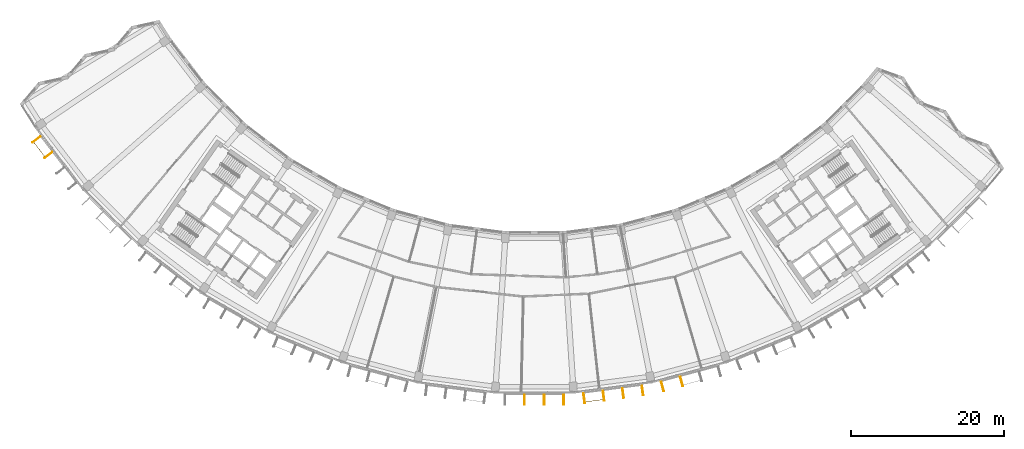
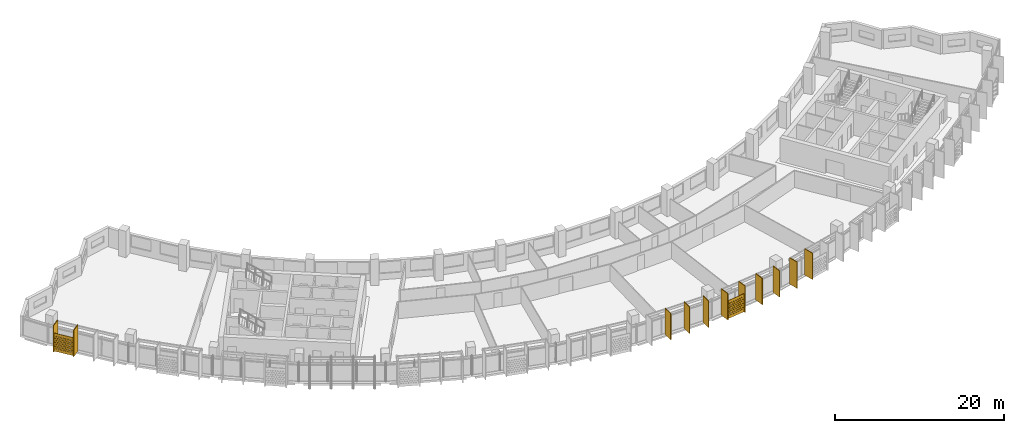
# One storey, part 25 of 28: 13 shading devices.
"""IFC4 building model written with IfcOpenShell, lengths in metres."""

from ifc_helpers import new_model, si_unit, direction, frame, origin, origin_2d, place, context, subcontext, project, spatial, polyline, rectangle, outline, extrude, material, material_profile, profile_set, type_object, element, save


model = new_model("IFC4")

# Units and contexts
model_context = context("Model", 3, precision=1e-05, world=origin(), true_north=direction((0.0, 1.0)))
body_context = subcontext(model_context, "Body", "Model", "MODEL_VIEW")
ifc_project = project(units=[si_unit("LENGTHUNIT", "METRE"), si_unit("AREAUNIT", "SQUARE_METRE"), si_unit("VOLUMEUNIT", "CUBIC_METRE"), si_unit("PLANEANGLEUNIT", "RADIAN"), si_unit("MASSUNIT", "GRAM", prefix="KILO")], contexts=[model_context])

# Site, building, storey
site_placement = place(None, origin())
site = spatial("IfcSite", under=ifc_project, at=site_placement, CompositionType="ELEMENT")
building_placement = place(site_placement, origin())
building = spatial("IfcBuilding", under=site, at=building_placement, Name="Qamariyya Broadcast Tower", CompositionType="ELEMENT")
storey_placement = place(building_placement, frame((0.0, 0.0, 249.300048828125)))
storey = spatial("IfcBuildingStorey", under=building, at=storey_placement, Name="L60", CompositionType="ELEMENT", Elevation=249.300048828125)

# Shading devices
ifc_material_1 = material(Name="Perforated glazed terracotta", Category="masonry")
ifc_material_profile_1 = material_profile(ifc_material_1, outline(polyline([(-1.199951171875, -1.300048828125), (1.199951171875, -1.300048828125), (1.199951171875, 1.300048828125), (-1.199951171875, 1.300048828125), (-1.199951171875, -1.300048828125)]), holes=[polyline([(-0.81494140625, -0.86669921875), (-0.89990234375, -0.78173828125), (-0.985107421875, -0.86669921875), (-0.89990234375, -0.95166015625), (-0.81494140625, -0.86669921875)]), polyline([(-0.514892578125, -0.86669921875), (-0.60009765625, -0.78173828125), (-0.68505859375, -0.86669921875), (-0.60009765625, -0.95166015625), (-0.514892578125, -0.86669921875)]), polyline([(-0.215087890625, -0.86669921875), (-0.300048828125, -0.78173828125), (-0.385009765625, -0.86669921875), (-0.300048828125, -0.95166015625), (-0.215087890625, -0.86669921875)]), polyline([(0.0849609375, -0.86669921875), (0.0, -0.78173828125), (-0.0849609375, -0.86669921875), (0.0, -0.95166015625), (0.0849609375, -0.86669921875)]), polyline([(0.385009765625, -0.86669921875), (0.300048828125, -0.78173828125), (0.215087890625, -0.86669921875), (0.300048828125, -0.95166015625), (0.385009765625, -0.86669921875)]), polyline([(0.68505859375, -0.86669921875), (0.60009765625, -0.78173828125), (0.514892578125, -0.86669921875), (0.60009765625, -0.95166015625), (0.68505859375, -0.86669921875)]), polyline([(0.985107421875, -0.86669921875), (0.89990234375, -0.78173828125), (0.81494140625, -0.86669921875), (0.89990234375, -0.95166015625), (0.985107421875, -0.86669921875)]), polyline([(-0.965087890625, -0.577880859375), (-1.050048828125, -0.49267578125), (-1.135009765625, -0.577880859375), (-1.050048828125, -0.662841796875), (-0.965087890625, -0.577880859375)]), polyline([(-0.6650390625, -0.577880859375), (-0.75, -0.49267578125), (-0.8349609375, -0.577880859375), (-0.75, -0.662841796875), (-0.6650390625, -0.577880859375)]), polyline([(-0.364990234375, -0.577880859375), (-0.449951171875, -0.49267578125), (-0.534912109375, -0.577880859375), (-0.449951171875, -0.662841796875), (-0.364990234375, -0.577880859375)]), polyline([(-0.06494140625, -0.577880859375), (-0.14990234375, -0.49267578125), (-0.235107421875, -0.577880859375), (-0.14990234375, -0.662841796875), (-0.06494140625, -0.577880859375)]), polyline([(0.235107421875, -0.577880859375), (0.14990234375, -0.49267578125), (0.06494140625, -0.577880859375), (0.14990234375, -0.662841796875), (0.235107421875, -0.577880859375)]), polyline([(0.534912109375, -0.577880859375), (0.449951171875, -0.49267578125), (0.364990234375, -0.577880859375), (0.449951171875, -0.662841796875), (0.534912109375, -0.577880859375)]), polyline([(0.8349609375, -0.577880859375), (0.75, -0.49267578125), (0.6650390625, -0.577880859375), (0.75, -0.662841796875), (0.8349609375, -0.577880859375)]), polyline([(1.135009765625, -0.577880859375), (1.050048828125, -0.49267578125), (0.965087890625, -0.577880859375), (1.050048828125, -0.662841796875), (1.135009765625, -0.577880859375)]), polyline([(-0.81494140625, -0.288818359375), (-0.89990234375, -0.203857421875), (-0.985107421875, -0.288818359375), (-0.89990234375, -0.373779296875), (-0.81494140625, -0.288818359375)]), polyline([(-0.514892578125, -0.288818359375), (-0.60009765625, -0.203857421875), (-0.68505859375, -0.288818359375), (-0.60009765625, -0.373779296875), (-0.514892578125, -0.288818359375)]), polyline([(-0.215087890625, -0.288818359375), (-0.300048828125, -0.203857421875), (-0.385009765625, -0.288818359375), (-0.300048828125, -0.373779296875), (-0.215087890625, -0.288818359375)]), polyline([(0.0849609375, -0.288818359375), (0.0, -0.203857421875), (-0.0849609375, -0.288818359375), (0.0, -0.373779296875), (0.0849609375, -0.288818359375)]), polyline([(0.385009765625, -0.288818359375), (0.300048828125, -0.203857421875), (0.215087890625, -0.288818359375), (0.300048828125, -0.373779296875), (0.385009765625, -0.288818359375)]), polyline([(0.68505859375, -0.288818359375), (0.60009765625, -0.203857421875), (0.514892578125, -0.288818359375), (0.60009765625, -0.373779296875), (0.68505859375, -0.288818359375)]), polyline([(0.985107421875, -0.288818359375), (0.89990234375, -0.203857421875), (0.81494140625, -0.288818359375), (0.89990234375, -0.373779296875), (0.985107421875, -0.288818359375)]), polyline([(-0.965087890625, 0.0), (-1.050048828125, 0.0849609375), (-1.135009765625, 0.0), (-1.050048828125, -0.0849609375), (-0.965087890625, 0.0)]), polyline([(-0.6650390625, 0.0), (-0.75, 0.0849609375), (-0.8349609375, 0.0), (-0.75, -0.0849609375), (-0.6650390625, 0.0)]), polyline([(-0.364990234375, 0.0), (-0.449951171875, 0.0849609375), (-0.534912109375, 0.0), (-0.449951171875, -0.0849609375), (-0.364990234375, 0.0)]), polyline([(-0.06494140625, 0.0), (-0.14990234375, 0.0849609375), (-0.235107421875, 0.0), (-0.14990234375, -0.0849609375), (-0.06494140625, 0.0)]), polyline([(0.235107421875, 0.0), (0.14990234375, 0.0849609375), (0.06494140625, 0.0), (0.14990234375, -0.0849609375), (0.235107421875, 0.0)]), polyline([(0.534912109375, 0.0), (0.449951171875, 0.0849609375), (0.364990234375, 0.0), (0.449951171875, -0.0849609375), (0.534912109375, 0.0)]), polyline([(0.8349609375, 0.0), (0.75, 0.0849609375), (0.6650390625, 0.0), (0.75, -0.0849609375), (0.8349609375, 0.0)]), polyline([(1.135009765625, 0.0), (1.050048828125, 0.0849609375), (0.965087890625, 0.0), (1.050048828125, -0.0849609375), (1.135009765625, 0.0)]), polyline([(-0.81494140625, 0.288818359375), (-0.89990234375, 0.373779296875), (-0.985107421875, 0.288818359375), (-0.89990234375, 0.203857421875), (-0.81494140625, 0.288818359375)]), polyline([(-0.514892578125, 0.288818359375), (-0.60009765625, 0.373779296875), (-0.68505859375, 0.288818359375), (-0.60009765625, 0.203857421875), (-0.514892578125, 0.288818359375)]), polyline([(-0.215087890625, 0.288818359375), (-0.300048828125, 0.373779296875), (-0.385009765625, 0.288818359375), (-0.300048828125, 0.203857421875), (-0.215087890625, 0.288818359375)]), polyline([(0.0849609375, 0.288818359375), (0.0, 0.373779296875), (-0.0849609375, 0.288818359375), (0.0, 0.203857421875), (0.0849609375, 0.288818359375)]), polyline([(0.385009765625, 0.288818359375), (0.300048828125, 0.373779296875), (0.215087890625, 0.288818359375), (0.300048828125, 0.203857421875), (0.385009765625, 0.288818359375)]), polyline([(0.68505859375, 0.288818359375), (0.60009765625, 0.373779296875), (0.514892578125, 0.288818359375), (0.60009765625, 0.203857421875), (0.68505859375, 0.288818359375)]), polyline([(0.985107421875, 0.288818359375), (0.89990234375, 0.373779296875), (0.81494140625, 0.288818359375), (0.89990234375, 0.203857421875), (0.985107421875, 0.288818359375)]), polyline([(-0.965087890625, 0.577880859375), (-1.050048828125, 0.662841796875), (-1.135009765625, 0.577880859375), (-1.050048828125, 0.49267578125), (-0.965087890625, 0.577880859375)]), polyline([(-0.6650390625, 0.577880859375), (-0.75, 0.662841796875), (-0.8349609375, 0.577880859375), (-0.75, 0.49267578125), (-0.6650390625, 0.577880859375)]), polyline([(-0.364990234375, 0.577880859375), (-0.449951171875, 0.662841796875), (-0.534912109375, 0.577880859375), (-0.449951171875, 0.49267578125), (-0.364990234375, 0.577880859375)]), polyline([(-0.06494140625, 0.577880859375), (-0.14990234375, 0.662841796875), (-0.235107421875, 0.577880859375), (-0.14990234375, 0.49267578125), (-0.06494140625, 0.577880859375)]), polyline([(0.235107421875, 0.577880859375), (0.14990234375, 0.662841796875), (0.06494140625, 0.577880859375), (0.14990234375, 0.49267578125), (0.235107421875, 0.577880859375)]), polyline([(0.534912109375, 0.577880859375), (0.449951171875, 0.662841796875), (0.364990234375, 0.577880859375), (0.449951171875, 0.49267578125), (0.534912109375, 0.577880859375)]), polyline([(0.8349609375, 0.577880859375), (0.75, 0.662841796875), (0.6650390625, 0.577880859375), (0.75, 0.49267578125), (0.8349609375, 0.577880859375)]), polyline([(1.135009765625, 0.577880859375), (1.050048828125, 0.662841796875), (0.965087890625, 0.577880859375), (1.050048828125, 0.49267578125), (1.135009765625, 0.577880859375)]), polyline([(-0.81494140625, 0.86669921875), (-0.89990234375, 0.95166015625), (-0.985107421875, 0.86669921875), (-0.89990234375, 0.78173828125), (-0.81494140625, 0.86669921875)]), polyline([(-0.514892578125, 0.86669921875), (-0.60009765625, 0.95166015625), (-0.68505859375, 0.86669921875), (-0.60009765625, 0.78173828125), (-0.514892578125, 0.86669921875)]), polyline([(-0.215087890625, 0.86669921875), (-0.300048828125, 0.95166015625), (-0.385009765625, 0.86669921875), (-0.300048828125, 0.78173828125), (-0.215087890625, 0.86669921875)]), polyline([(0.0849609375, 0.86669921875), (0.0, 0.95166015625), (-0.0849609375, 0.86669921875), (0.0, 0.78173828125), (0.0849609375, 0.86669921875)]), polyline([(0.385009765625, 0.86669921875), (0.300048828125, 0.95166015625), (0.215087890625, 0.86669921875), (0.300048828125, 0.78173828125), (0.385009765625, 0.86669921875)]), polyline([(0.68505859375, 0.86669921875), (0.60009765625, 0.95166015625), (0.514892578125, 0.86669921875), (0.60009765625, 0.78173828125), (0.68505859375, 0.86669921875)]), polyline([(0.985107421875, 0.86669921875), (0.89990234375, 0.95166015625), (0.81494140625, 0.86669921875), (0.89990234375, 0.78173828125), (0.985107421875, 0.86669921875)])]))
ifc_profile_set_1 = profile_set([ifc_material_profile_1], Name="Perforated glazed terracotta")
shading_device_type_1 = type_object("IfcShadingDeviceType", Name="Perforated terracotta screen 2400 x 2600", PredefinedType="USERDEFINED", material=ifc_profile_set_1)
shading_device_1_placement = place(storey_placement, frame((-64.85888671875, -46.480712890625, 1.349853515625), z_axis=(-0.794589096806, -0.607147566278, 0.0), x_axis=(0.607147566278, -0.794589096806, 0.0)))
element("IfcShadingDevice", 1, at=shading_device_1_placement, inside=storey, type_object=shading_device_type_1, Name="e-scr-L60-01-0", ObjectType="SCREEN", PredefinedType="USERDEFINED", context=body_context, shape_type="SweptSolid", body=[
    extrude(outline(polyline([(-1.199951171875, -1.300048828125), (1.199951171875, -1.300048828125), (1.199951171875, 1.300048828125), (-1.199951171875, 1.300048828125), (-1.199951171875, -1.300048828125)]), holes=[polyline([(-0.81494140625, -0.86669921875), (-0.89990234375, -0.78173828125), (-0.985107421875, -0.86669921875), (-0.89990234375, -0.95166015625), (-0.81494140625, -0.86669921875)]), polyline([(-0.514892578125, -0.86669921875), (-0.60009765625, -0.78173828125), (-0.68505859375, -0.86669921875), (-0.60009765625, -0.95166015625), (-0.514892578125, -0.86669921875)]), polyline([(-0.215087890625, -0.86669921875), (-0.300048828125, -0.78173828125), (-0.385009765625, -0.86669921875), (-0.300048828125, -0.95166015625), (-0.215087890625, -0.86669921875)]), polyline([(0.0849609375, -0.86669921875), (0.0, -0.78173828125), (-0.0849609375, -0.86669921875), (0.0, -0.95166015625), (0.0849609375, -0.86669921875)]), polyline([(0.385009765625, -0.86669921875), (0.300048828125, -0.78173828125), (0.215087890625, -0.86669921875), (0.300048828125, -0.95166015625), (0.385009765625, -0.86669921875)]), polyline([(0.68505859375, -0.86669921875), (0.60009765625, -0.78173828125), (0.514892578125, -0.86669921875), (0.60009765625, -0.95166015625), (0.68505859375, -0.86669921875)]), polyline([(0.985107421875, -0.86669921875), (0.89990234375, -0.78173828125), (0.81494140625, -0.86669921875), (0.89990234375, -0.95166015625), (0.985107421875, -0.86669921875)]), polyline([(-0.965087890625, -0.577880859375), (-1.050048828125, -0.49267578125), (-1.135009765625, -0.577880859375), (-1.050048828125, -0.662841796875), (-0.965087890625, -0.577880859375)]), polyline([(-0.6650390625, -0.577880859375), (-0.75, -0.49267578125), (-0.8349609375, -0.577880859375), (-0.75, -0.662841796875), (-0.6650390625, -0.577880859375)]), polyline([(-0.364990234375, -0.577880859375), (-0.449951171875, -0.49267578125), (-0.534912109375, -0.577880859375), (-0.449951171875, -0.662841796875), (-0.364990234375, -0.577880859375)]), polyline([(-0.06494140625, -0.577880859375), (-0.14990234375, -0.49267578125), (-0.235107421875, -0.577880859375), (-0.14990234375, -0.662841796875), (-0.06494140625, -0.577880859375)]), polyline([(0.235107421875, -0.577880859375), (0.14990234375, -0.49267578125), (0.06494140625, -0.577880859375), (0.14990234375, -0.662841796875), (0.235107421875, -0.577880859375)]), polyline([(0.534912109375, -0.577880859375), (0.449951171875, -0.49267578125), (0.364990234375, -0.577880859375), (0.449951171875, -0.662841796875), (0.534912109375, -0.577880859375)]), polyline([(0.8349609375, -0.577880859375), (0.75, -0.49267578125), (0.6650390625, -0.577880859375), (0.75, -0.662841796875), (0.8349609375, -0.577880859375)]), polyline([(1.135009765625, -0.577880859375), (1.050048828125, -0.49267578125), (0.965087890625, -0.577880859375), (1.050048828125, -0.662841796875), (1.135009765625, -0.577880859375)]), polyline([(-0.81494140625, -0.288818359375), (-0.89990234375, -0.203857421875), (-0.985107421875, -0.288818359375), (-0.89990234375, -0.373779296875), (-0.81494140625, -0.288818359375)]), polyline([(-0.514892578125, -0.288818359375), (-0.60009765625, -0.203857421875), (-0.68505859375, -0.288818359375), (-0.60009765625, -0.373779296875), (-0.514892578125, -0.288818359375)]), polyline([(-0.215087890625, -0.288818359375), (-0.300048828125, -0.203857421875), (-0.385009765625, -0.288818359375), (-0.300048828125, -0.373779296875), (-0.215087890625, -0.288818359375)]), polyline([(0.0849609375, -0.288818359375), (0.0, -0.203857421875), (-0.0849609375, -0.288818359375), (0.0, -0.373779296875), (0.0849609375, -0.288818359375)]), polyline([(0.385009765625, -0.288818359375), (0.300048828125, -0.203857421875), (0.215087890625, -0.288818359375), (0.300048828125, -0.373779296875), (0.385009765625, -0.288818359375)]), polyline([(0.68505859375, -0.288818359375), (0.60009765625, -0.203857421875), (0.514892578125, -0.288818359375), (0.60009765625, -0.373779296875), (0.68505859375, -0.288818359375)]), polyline([(0.985107421875, -0.288818359375), (0.89990234375, -0.203857421875), (0.81494140625, -0.288818359375), (0.89990234375, -0.373779296875), (0.985107421875, -0.288818359375)]), polyline([(-0.965087890625, 0.0), (-1.050048828125, 0.0849609375), (-1.135009765625, 0.0), (-1.050048828125, -0.0849609375), (-0.965087890625, 0.0)]), polyline([(-0.6650390625, 0.0), (-0.75, 0.0849609375), (-0.8349609375, 0.0), (-0.75, -0.0849609375), (-0.6650390625, 0.0)]), polyline([(-0.364990234375, 0.0), (-0.449951171875, 0.0849609375), (-0.534912109375, 0.0), (-0.449951171875, -0.0849609375), (-0.364990234375, 0.0)]), polyline([(-0.06494140625, 0.0), (-0.14990234375, 0.0849609375), (-0.235107421875, 0.0), (-0.14990234375, -0.0849609375), (-0.06494140625, 0.0)]), polyline([(0.235107421875, 0.0), (0.14990234375, 0.0849609375), (0.06494140625, 0.0), (0.14990234375, -0.0849609375), (0.235107421875, 0.0)]), polyline([(0.534912109375, 0.0), (0.449951171875, 0.0849609375), (0.364990234375, 0.0), (0.449951171875, -0.0849609375), (0.534912109375, 0.0)]), polyline([(0.8349609375, 0.0), (0.75, 0.0849609375), (0.6650390625, 0.0), (0.75, -0.0849609375), (0.8349609375, 0.0)]), polyline([(1.135009765625, 0.0), (1.050048828125, 0.0849609375), (0.965087890625, 0.0), (1.050048828125, -0.0849609375), (1.135009765625, 0.0)]), polyline([(-0.81494140625, 0.288818359375), (-0.89990234375, 0.373779296875), (-0.985107421875, 0.288818359375), (-0.89990234375, 0.203857421875), (-0.81494140625, 0.288818359375)]), polyline([(-0.514892578125, 0.288818359375), (-0.60009765625, 0.373779296875), (-0.68505859375, 0.288818359375), (-0.60009765625, 0.203857421875), (-0.514892578125, 0.288818359375)]), polyline([(-0.215087890625, 0.288818359375), (-0.300048828125, 0.373779296875), (-0.385009765625, 0.288818359375), (-0.300048828125, 0.203857421875), (-0.215087890625, 0.288818359375)]), polyline([(0.0849609375, 0.288818359375), (0.0, 0.373779296875), (-0.0849609375, 0.288818359375), (0.0, 0.203857421875), (0.0849609375, 0.288818359375)]), polyline([(0.385009765625, 0.288818359375), (0.300048828125, 0.373779296875), (0.215087890625, 0.288818359375), (0.300048828125, 0.203857421875), (0.385009765625, 0.288818359375)]), polyline([(0.68505859375, 0.288818359375), (0.60009765625, 0.373779296875), (0.514892578125, 0.288818359375), (0.60009765625, 0.203857421875), (0.68505859375, 0.288818359375)]), polyline([(0.985107421875, 0.288818359375), (0.89990234375, 0.373779296875), (0.81494140625, 0.288818359375), (0.89990234375, 0.203857421875), (0.985107421875, 0.288818359375)]), polyline([(-0.965087890625, 0.577880859375), (-1.050048828125, 0.662841796875), (-1.135009765625, 0.577880859375), (-1.050048828125, 0.49267578125), (-0.965087890625, 0.577880859375)]), polyline([(-0.6650390625, 0.577880859375), (-0.75, 0.662841796875), (-0.8349609375, 0.577880859375), (-0.75, 0.49267578125), (-0.6650390625, 0.577880859375)]), polyline([(-0.364990234375, 0.577880859375), (-0.449951171875, 0.662841796875), (-0.534912109375, 0.577880859375), (-0.449951171875, 0.49267578125), (-0.364990234375, 0.577880859375)]), polyline([(-0.06494140625, 0.577880859375), (-0.14990234375, 0.662841796875), (-0.235107421875, 0.577880859375), (-0.14990234375, 0.49267578125), (-0.06494140625, 0.577880859375)]), polyline([(0.235107421875, 0.577880859375), (0.14990234375, 0.662841796875), (0.06494140625, 0.577880859375), (0.14990234375, 0.49267578125), (0.235107421875, 0.577880859375)]), polyline([(0.534912109375, 0.577880859375), (0.449951171875, 0.662841796875), (0.364990234375, 0.577880859375), (0.449951171875, 0.49267578125), (0.534912109375, 0.577880859375)]), polyline([(0.8349609375, 0.577880859375), (0.75, 0.662841796875), (0.6650390625, 0.577880859375), (0.75, 0.49267578125), (0.8349609375, 0.577880859375)]), polyline([(1.135009765625, 0.577880859375), (1.050048828125, 0.662841796875), (0.965087890625, 0.577880859375), (1.050048828125, 0.49267578125), (1.135009765625, 0.577880859375)]), polyline([(-0.81494140625, 0.86669921875), (-0.89990234375, 0.95166015625), (-0.985107421875, 0.86669921875), (-0.89990234375, 0.78173828125), (-0.81494140625, 0.86669921875)]), polyline([(-0.514892578125, 0.86669921875), (-0.60009765625, 0.95166015625), (-0.68505859375, 0.86669921875), (-0.60009765625, 0.78173828125), (-0.514892578125, 0.86669921875)]), polyline([(-0.215087890625, 0.86669921875), (-0.300048828125, 0.95166015625), (-0.385009765625, 0.86669921875), (-0.300048828125, 0.78173828125), (-0.215087890625, 0.86669921875)]), polyline([(0.0849609375, 0.86669921875), (0.0, 0.95166015625), (-0.0849609375, 0.86669921875), (0.0, 0.78173828125), (0.0849609375, 0.86669921875)]), polyline([(0.385009765625, 0.86669921875), (0.300048828125, 0.95166015625), (0.215087890625, 0.86669921875), (0.300048828125, 0.78173828125), (0.385009765625, 0.86669921875)]), polyline([(0.68505859375, 0.86669921875), (0.60009765625, 0.95166015625), (0.514892578125, 0.86669921875), (0.60009765625, 0.78173828125), (0.68505859375, 0.86669921875)]), polyline([(0.985107421875, 0.86669921875), (0.89990234375, 0.95166015625), (0.81494140625, 0.86669921875), (0.89990234375, 0.78173828125), (0.985107421875, 0.86669921875)])]), origin(), (0.0, 0.0, 1.0), 0.059814453125),
])
shading_device_2_placement = place(storey_placement, frame((7.823974609375, -79.40966796875, 1.349853515625), z_axis=(0.1300340368, -0.991509530601, 0.0), x_axis=(0.991509530601, 0.1300340368, 0.0)))
element("IfcShadingDevice", 2, at=shading_device_2_placement, inside=storey, type_object=shading_device_type_1, Name="e-scr-L60-09-0", ObjectType="SCREEN", PredefinedType="USERDEFINED", context=body_context, shape_type="SweptSolid", body=[
    extrude(outline(polyline([(-1.199951171875, -1.300048828125), (1.199951171875, -1.300048828125), (1.199951171875, 1.300048828125), (-1.199951171875, 1.300048828125), (-1.199951171875, -1.300048828125)]), holes=[polyline([(-0.81494140625, -0.86669921875), (-0.89990234375, -0.78173828125), (-0.985107421875, -0.86669921875), (-0.89990234375, -0.95166015625), (-0.81494140625, -0.86669921875)]), polyline([(-0.514892578125, -0.86669921875), (-0.60009765625, -0.78173828125), (-0.68505859375, -0.86669921875), (-0.60009765625, -0.95166015625), (-0.514892578125, -0.86669921875)]), polyline([(-0.215087890625, -0.86669921875), (-0.300048828125, -0.78173828125), (-0.385009765625, -0.86669921875), (-0.300048828125, -0.95166015625), (-0.215087890625, -0.86669921875)]), polyline([(0.0849609375, -0.86669921875), (0.0, -0.78173828125), (-0.0849609375, -0.86669921875), (0.0, -0.95166015625), (0.0849609375, -0.86669921875)]), polyline([(0.385009765625, -0.86669921875), (0.300048828125, -0.78173828125), (0.215087890625, -0.86669921875), (0.300048828125, -0.95166015625), (0.385009765625, -0.86669921875)]), polyline([(0.68505859375, -0.86669921875), (0.60009765625, -0.78173828125), (0.514892578125, -0.86669921875), (0.60009765625, -0.95166015625), (0.68505859375, -0.86669921875)]), polyline([(0.985107421875, -0.86669921875), (0.89990234375, -0.78173828125), (0.81494140625, -0.86669921875), (0.89990234375, -0.95166015625), (0.985107421875, -0.86669921875)]), polyline([(-0.965087890625, -0.577880859375), (-1.050048828125, -0.49267578125), (-1.135009765625, -0.577880859375), (-1.050048828125, -0.662841796875), (-0.965087890625, -0.577880859375)]), polyline([(-0.6650390625, -0.577880859375), (-0.75, -0.49267578125), (-0.8349609375, -0.577880859375), (-0.75, -0.662841796875), (-0.6650390625, -0.577880859375)]), polyline([(-0.364990234375, -0.577880859375), (-0.449951171875, -0.49267578125), (-0.534912109375, -0.577880859375), (-0.449951171875, -0.662841796875), (-0.364990234375, -0.577880859375)]), polyline([(-0.06494140625, -0.577880859375), (-0.14990234375, -0.49267578125), (-0.235107421875, -0.577880859375), (-0.14990234375, -0.662841796875), (-0.06494140625, -0.577880859375)]), polyline([(0.235107421875, -0.577880859375), (0.14990234375, -0.49267578125), (0.06494140625, -0.577880859375), (0.14990234375, -0.662841796875), (0.235107421875, -0.577880859375)]), polyline([(0.534912109375, -0.577880859375), (0.449951171875, -0.49267578125), (0.364990234375, -0.577880859375), (0.449951171875, -0.662841796875), (0.534912109375, -0.577880859375)]), polyline([(0.8349609375, -0.577880859375), (0.75, -0.49267578125), (0.6650390625, -0.577880859375), (0.75, -0.662841796875), (0.8349609375, -0.577880859375)]), polyline([(1.135009765625, -0.577880859375), (1.050048828125, -0.49267578125), (0.965087890625, -0.577880859375), (1.050048828125, -0.662841796875), (1.135009765625, -0.577880859375)]), polyline([(-0.81494140625, -0.288818359375), (-0.89990234375, -0.203857421875), (-0.985107421875, -0.288818359375), (-0.89990234375, -0.373779296875), (-0.81494140625, -0.288818359375)]), polyline([(-0.514892578125, -0.288818359375), (-0.60009765625, -0.203857421875), (-0.68505859375, -0.288818359375), (-0.60009765625, -0.373779296875), (-0.514892578125, -0.288818359375)]), polyline([(-0.215087890625, -0.288818359375), (-0.300048828125, -0.203857421875), (-0.385009765625, -0.288818359375), (-0.300048828125, -0.373779296875), (-0.215087890625, -0.288818359375)]), polyline([(0.0849609375, -0.288818359375), (0.0, -0.203857421875), (-0.0849609375, -0.288818359375), (0.0, -0.373779296875), (0.0849609375, -0.288818359375)]), polyline([(0.385009765625, -0.288818359375), (0.300048828125, -0.203857421875), (0.215087890625, -0.288818359375), (0.300048828125, -0.373779296875), (0.385009765625, -0.288818359375)]), polyline([(0.68505859375, -0.288818359375), (0.60009765625, -0.203857421875), (0.514892578125, -0.288818359375), (0.60009765625, -0.373779296875), (0.68505859375, -0.288818359375)]), polyline([(0.985107421875, -0.288818359375), (0.89990234375, -0.203857421875), (0.81494140625, -0.288818359375), (0.89990234375, -0.373779296875), (0.985107421875, -0.288818359375)]), polyline([(-0.965087890625, 0.0), (-1.050048828125, 0.0849609375), (-1.135009765625, 0.0), (-1.050048828125, -0.0849609375), (-0.965087890625, 0.0)]), polyline([(-0.6650390625, 0.0), (-0.75, 0.0849609375), (-0.8349609375, 0.0), (-0.75, -0.0849609375), (-0.6650390625, 0.0)]), polyline([(-0.364990234375, 0.0), (-0.449951171875, 0.0849609375), (-0.534912109375, 0.0), (-0.449951171875, -0.0849609375), (-0.364990234375, 0.0)]), polyline([(-0.06494140625, 0.0), (-0.14990234375, 0.0849609375), (-0.235107421875, 0.0), (-0.14990234375, -0.0849609375), (-0.06494140625, 0.0)]), polyline([(0.235107421875, 0.0), (0.14990234375, 0.0849609375), (0.06494140625, 0.0), (0.14990234375, -0.0849609375), (0.235107421875, 0.0)]), polyline([(0.534912109375, 0.0), (0.449951171875, 0.0849609375), (0.364990234375, 0.0), (0.449951171875, -0.0849609375), (0.534912109375, 0.0)]), polyline([(0.8349609375, 0.0), (0.75, 0.0849609375), (0.6650390625, 0.0), (0.75, -0.0849609375), (0.8349609375, 0.0)]), polyline([(1.135009765625, 0.0), (1.050048828125, 0.0849609375), (0.965087890625, 0.0), (1.050048828125, -0.0849609375), (1.135009765625, 0.0)]), polyline([(-0.81494140625, 0.288818359375), (-0.89990234375, 0.373779296875), (-0.985107421875, 0.288818359375), (-0.89990234375, 0.203857421875), (-0.81494140625, 0.288818359375)]), polyline([(-0.514892578125, 0.288818359375), (-0.60009765625, 0.373779296875), (-0.68505859375, 0.288818359375), (-0.60009765625, 0.203857421875), (-0.514892578125, 0.288818359375)]), polyline([(-0.215087890625, 0.288818359375), (-0.300048828125, 0.373779296875), (-0.385009765625, 0.288818359375), (-0.300048828125, 0.203857421875), (-0.215087890625, 0.288818359375)]), polyline([(0.0849609375, 0.288818359375), (0.0, 0.373779296875), (-0.0849609375, 0.288818359375), (0.0, 0.203857421875), (0.0849609375, 0.288818359375)]), polyline([(0.385009765625, 0.288818359375), (0.300048828125, 0.373779296875), (0.215087890625, 0.288818359375), (0.300048828125, 0.203857421875), (0.385009765625, 0.288818359375)]), polyline([(0.68505859375, 0.288818359375), (0.60009765625, 0.373779296875), (0.514892578125, 0.288818359375), (0.60009765625, 0.203857421875), (0.68505859375, 0.288818359375)]), polyline([(0.985107421875, 0.288818359375), (0.89990234375, 0.373779296875), (0.81494140625, 0.288818359375), (0.89990234375, 0.203857421875), (0.985107421875, 0.288818359375)]), polyline([(-0.965087890625, 0.577880859375), (-1.050048828125, 0.662841796875), (-1.135009765625, 0.577880859375), (-1.050048828125, 0.49267578125), (-0.965087890625, 0.577880859375)]), polyline([(-0.6650390625, 0.577880859375), (-0.75, 0.662841796875), (-0.8349609375, 0.577880859375), (-0.75, 0.49267578125), (-0.6650390625, 0.577880859375)]), polyline([(-0.364990234375, 0.577880859375), (-0.449951171875, 0.662841796875), (-0.534912109375, 0.577880859375), (-0.449951171875, 0.49267578125), (-0.364990234375, 0.577880859375)]), polyline([(-0.06494140625, 0.577880859375), (-0.14990234375, 0.662841796875), (-0.235107421875, 0.577880859375), (-0.14990234375, 0.49267578125), (-0.06494140625, 0.577880859375)]), polyline([(0.235107421875, 0.577880859375), (0.14990234375, 0.662841796875), (0.06494140625, 0.577880859375), (0.14990234375, 0.49267578125), (0.235107421875, 0.577880859375)]), polyline([(0.534912109375, 0.577880859375), (0.449951171875, 0.662841796875), (0.364990234375, 0.577880859375), (0.449951171875, 0.49267578125), (0.534912109375, 0.577880859375)]), polyline([(0.8349609375, 0.577880859375), (0.75, 0.662841796875), (0.6650390625, 0.577880859375), (0.75, 0.49267578125), (0.8349609375, 0.577880859375)]), polyline([(1.135009765625, 0.577880859375), (1.050048828125, 0.662841796875), (0.965087890625, 0.577880859375), (1.050048828125, 0.49267578125), (1.135009765625, 0.577880859375)]), polyline([(-0.81494140625, 0.86669921875), (-0.89990234375, 0.95166015625), (-0.985107421875, 0.86669921875), (-0.89990234375, 0.78173828125), (-0.81494140625, 0.86669921875)]), polyline([(-0.514892578125, 0.86669921875), (-0.60009765625, 0.95166015625), (-0.68505859375, 0.86669921875), (-0.60009765625, 0.78173828125), (-0.514892578125, 0.86669921875)]), polyline([(-0.215087890625, 0.86669921875), (-0.300048828125, 0.95166015625), (-0.385009765625, 0.86669921875), (-0.300048828125, 0.78173828125), (-0.215087890625, 0.86669921875)]), polyline([(0.0849609375, 0.86669921875), (0.0, 0.95166015625), (-0.0849609375, 0.86669921875), (0.0, 0.78173828125), (0.0849609375, 0.86669921875)]), polyline([(0.385009765625, 0.86669921875), (0.300048828125, 0.95166015625), (0.215087890625, 0.86669921875), (0.300048828125, 0.78173828125), (0.385009765625, 0.86669921875)]), polyline([(0.68505859375, 0.86669921875), (0.60009765625, 0.95166015625), (0.514892578125, 0.86669921875), (0.60009765625, 0.78173828125), (0.68505859375, 0.86669921875)]), polyline([(0.985107421875, 0.86669921875), (0.89990234375, 0.95166015625), (0.81494140625, 0.86669921875), (0.89990234375, 0.78173828125), (0.985107421875, 0.86669921875)])]), origin(), (0.0, 0.0, 1.0), 0.06005859375),
])
ifc_material_2 = material(Name="Glazed terracotta", Category="masonry")
ifc_material_profile_2 = material_profile(ifc_material_2, rectangle(XDim=1.300048828125, YDim=0.10009765625, at=origin_2d()))
ifc_profile_set_2 = profile_set([ifc_material_profile_2], Name="Glazed terracotta")
shading_device_type_2 = type_object("IfcShadingDeviceType", Name="Terracotta fin 100 x 1300", PredefinedType="USERDEFINED", material=ifc_profile_set_2)
for number, where, z_axis, x_axis, name in (
    (3, (-65.246826171875, -45.202880859375, 0.0), (0.0, 0.0, 1.0), (-0.793353340291, -0.608761429009, 0.0), "e-fin-L60-01-0"),
    (4, (-63.68115234375, -47.243408203125, 0.0), (0.0, 0.0, 1.0), (-0.793353340291, -0.608761429009, 0.0), "e-fin-L60-01-1"),
    (5, (-1.285888671875, -79.281494140625, 0.0), (0.0, 0.0, 1.0), (0.0, -1.0, 0.0), "e-fin-L60-08-1"),
    (6, (1.285888671875, -79.281494140625, 0.0), (0.0, 0.0, 1.0), (0.0, -1.0, 0.0), "e-fin-L60-08-2"),
    (7, (3.85791015625, -79.281494140625, 0.0), (0.0, 0.0, 1.0), (0.0, -1.0, 0.0), "e-fin-L60-08-3"),
    (8, (6.5234375, -79.10693359375, 0.0), (0.0, 0.0, 1.0), (0.13052619222, -0.991444861374, 0.0), "e-fin-L60-09-0"),
    (9, (9.0732421875, -78.771240234375, 0.0), (0.0, 0.0, 1.0), (0.13052619222, -0.991444861374, 0.0), "e-fin-L60-09-1"),
    (10, (11.623291015625, -78.435546875, 0.0), (0.0, 0.0, 1.0), (0.13052619222, -0.991444861374, 0.0), "e-fin-L60-09-2"),
    (11, (14.17333984375, -78.099853515625, 0.0), (0.0, 0.0, 1.0), (0.13052619222, -0.991444861374, 0.0), "e-fin-L60-09-3"),
    (12, (16.79296875, -77.57861328125, 0.0), (0.0, 0.0, 1.0), (0.258819045103, -0.965925826289, 0.0), "e-fin-L60-10-0"),
    (13, (19.27734375, -76.9130859375, 0.0), (0.0, 0.0, 1.0), (0.258819045103, -0.965925826289, 0.0), "e-fin-L60-10-1"),
):
    element("IfcShadingDevice", number, at=place(storey_placement, frame(where, z_axis=z_axis, x_axis=x_axis)), inside=storey, type_object=shading_device_type_2, Name=name, ObjectType="FIN", PredefinedType="USERDEFINED", context=body_context, shape_type="SweptSolid", body=[
        extrude(rectangle(XDim=1.300048828125, YDim=0.10009765625, at=origin_2d()), origin(), (0.0, 0.0, 1.0), 3.800048828125),
    ])

save(model, "model.ifc")
